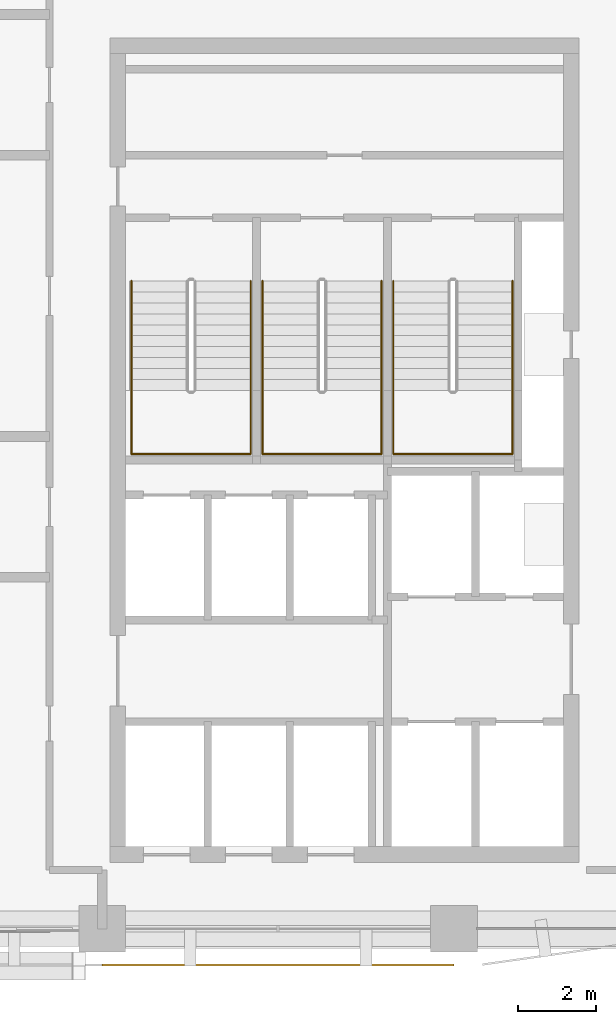
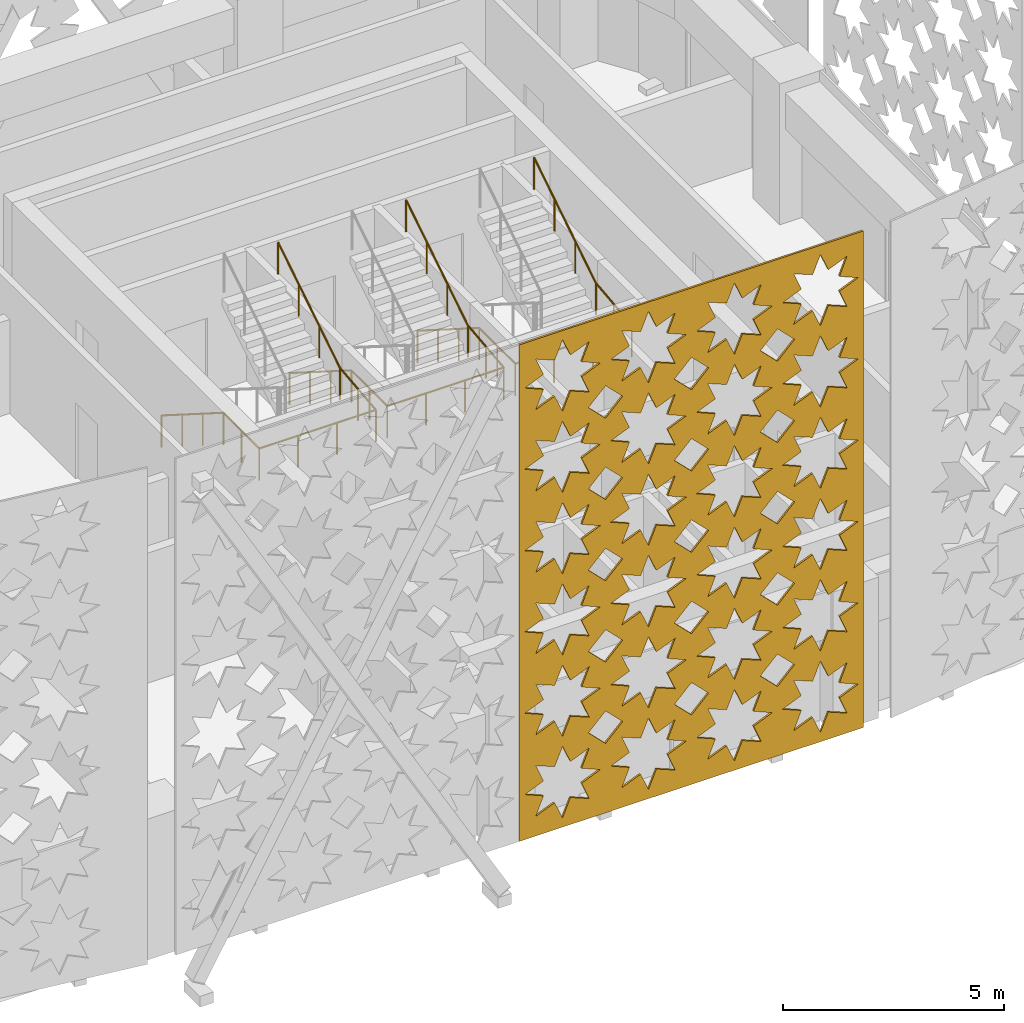
# One storey, part 12 of 17: 3 railings, 1 covering.
"""IFC4 building model written with IfcOpenShell, lengths in metres."""

from ifc_helpers import new_model, si_unit, direction, frame, origin, origin_2d, place, context, subcontext, project, spatial, polyline, circle, outline, extrude, material, layer, layer_set, type_object, element, save


model = new_model("IFC4")

# Units and contexts
model_context = context("Model", 3, precision=1e-05, world=origin(), true_north=direction((0.0, 1.0)))
body_context = subcontext(model_context, "Body", "Model", "MODEL_VIEW")
ifc_project = project(units=[si_unit("LENGTHUNIT", "METRE"), si_unit("AREAUNIT", "SQUARE_METRE"), si_unit("VOLUMEUNIT", "CUBIC_METRE"), si_unit("PLANEANGLEUNIT", "RADIAN"), si_unit("MASSUNIT", "GRAM", prefix="KILO")], contexts=[model_context])

# Site, building, storey
site_placement = place(None, origin())
site = spatial("IfcSite", under=ifc_project, at=site_placement, CompositionType="ELEMENT")
building_placement = place(site_placement, origin())
building = spatial("IfcBuilding", under=site, at=building_placement, Name="Tessera Arch", CompositionType="ELEMENT")
storey_placement = place(building_placement, frame((0.0, 0.0, 281.300048828125)))
storey = spatial("IfcBuildingStorey", under=building, at=storey_placement, Name="L68", CompositionType="ELEMENT", Elevation=281.300048828125)

# Covering
ifc_material_1 = material(Name="Anodised aluminium pale metal", Category="aluminium")
ifc_layer = layer(ifc_material_1, 0.050048828125)
ifc_layer_set = layer_set([ifc_layer], Name="Pierced screen panel straight bay")
covering_type = type_object("IfcCoveringType", Name="Pierced screen panel straight bay", PredefinedType="CLADDING", material=ifc_layer_set)
covering_placement = place(storey_placement, frame((36.0, 26.10009765625, 13.89990234375), z_axis=(0.0, 1.0, 0.0), x_axis=(1.0, 0.0, 0.0)))
element("IfcCovering", 1, at=covering_placement, inside=storey, type_object=covering_type, Name="SCREEN pierced panel S27.18/2 L68-L70", PredefinedType="CLADDING", context=body_context, shape_type="SweptSolid", body=[
    extrude(outline(polyline([(0.0, 0.0), (9.0, 0.0), (9.0, 13.739990234375), (0.0, 13.739990234375), (0.0, 0.0)]), holes=[polyline([(2.114990234375, 12.494873046875), (1.6240234375, 12.287841796875), (1.824951171875, 11.794921875), (1.33203125, 11.995849609375), (1.125, 11.5048828125), (0.91796875, 11.995849609375), (0.425048828125, 11.794921875), (0.6259765625, 12.287841796875), (0.135009765625, 12.494873046875), (0.6259765625, 12.701904296875), (0.425048828125, 13.195068359375), (0.91796875, 12.993896484375), (1.125, 13.48486328125), (1.33203125, 12.993896484375), (1.824951171875, 13.195068359375), (1.6240234375, 12.701904296875), (2.114990234375, 12.494873046875)]), polyline([(2.114990234375, 10.244873046875), (1.6240234375, 10.037841796875), (1.824951171875, 9.544921875), (1.33203125, 9.745849609375), (1.125, 9.2548828125), (0.91796875, 9.745849609375), (0.425048828125, 9.544921875), (0.6259765625, 10.037841796875), (0.135009765625, 10.244873046875), (0.6259765625, 10.451904296875), (0.425048828125, 10.945068359375), (0.91796875, 10.743896484375), (1.125, 11.23486328125), (1.33203125, 10.743896484375), (1.824951171875, 10.945068359375), (1.6240234375, 10.451904296875), (2.114990234375, 10.244873046875)]), polyline([(2.114990234375, 7.994873046875), (1.6240234375, 7.787841796875), (1.824951171875, 7.294921875), (1.33203125, 7.495849609375), (1.125, 7.0048828125), (0.91796875, 7.495849609375), (0.425048828125, 7.294921875), (0.6259765625, 7.787841796875), (0.135009765625, 7.994873046875), (0.6259765625, 8.201904296875), (0.425048828125, 8.695068359375), (0.91796875, 8.493896484375), (1.125, 8.98486328125), (1.33203125, 8.493896484375), (1.824951171875, 8.695068359375), (1.6240234375, 8.201904296875), (2.114990234375, 7.994873046875)]), polyline([(2.114990234375, 5.744873046875), (1.6240234375, 5.537841796875), (1.824951171875, 5.044921875), (1.33203125, 5.245849609375), (1.125, 4.7548828125), (0.91796875, 5.245849609375), (0.425048828125, 5.044921875), (0.6259765625, 5.537841796875), (0.135009765625, 5.744873046875), (0.6259765625, 5.951904296875), (0.425048828125, 6.445068359375), (0.91796875, 6.243896484375), (1.125, 6.73486328125), (1.33203125, 6.243896484375), (1.824951171875, 6.445068359375), (1.6240234375, 5.951904296875), (2.114990234375, 5.744873046875)]), polyline([(2.114990234375, 3.494873046875), (1.6240234375, 3.287841796875), (1.824951171875, 2.794921875), (1.33203125, 2.995849609375), (1.125, 2.5048828125), (0.91796875, 2.995849609375), (0.425048828125, 2.794921875), (0.6259765625, 3.287841796875), (0.135009765625, 3.494873046875), (0.6259765625, 3.701904296875), (0.425048828125, 4.195068359375), (0.91796875, 3.993896484375), (1.125, 4.48486328125), (1.33203125, 3.993896484375), (1.824951171875, 4.195068359375), (1.6240234375, 3.701904296875), (2.114990234375, 3.494873046875)]), polyline([(2.114990234375, 1.244873046875), (1.6240234375, 1.037841796875), (1.824951171875, 0.544921875), (1.33203125, 0.745849609375), (1.125, 0.2548828125), (0.91796875, 0.745849609375), (0.425048828125, 0.544921875), (0.6259765625, 1.037841796875), (0.135009765625, 1.244873046875), (0.6259765625, 1.451904296875), (0.425048828125, 1.945068359375), (0.91796875, 1.743896484375), (1.125, 2.23486328125), (1.33203125, 1.743896484375), (1.824951171875, 1.945068359375), (1.6240234375, 1.451904296875), (2.114990234375, 1.244873046875)]), polyline([(4.364990234375, 12.494873046875), (3.8740234375, 12.287841796875), (4.074951171875, 11.794921875), (3.58203125, 11.995849609375), (3.375, 11.5048828125), (3.16796875, 11.995849609375), (2.675048828125, 11.794921875), (2.8759765625, 12.287841796875), (2.385009765625, 12.494873046875), (2.8759765625, 12.701904296875), (2.675048828125, 13.195068359375), (3.16796875, 12.993896484375), (3.375, 13.48486328125), (3.58203125, 12.993896484375), (4.074951171875, 13.195068359375), (3.8740234375, 12.701904296875), (4.364990234375, 12.494873046875)]), polyline([(4.364990234375, 10.244873046875), (3.8740234375, 10.037841796875), (4.074951171875, 9.544921875), (3.58203125, 9.745849609375), (3.375, 9.2548828125), (3.16796875, 9.745849609375), (2.675048828125, 9.544921875), (2.8759765625, 10.037841796875), (2.385009765625, 10.244873046875), (2.8759765625, 10.451904296875), (2.675048828125, 10.945068359375), (3.16796875, 10.743896484375), (3.375, 11.23486328125), (3.58203125, 10.743896484375), (4.074951171875, 10.945068359375), (3.8740234375, 10.451904296875), (4.364990234375, 10.244873046875)]), polyline([(4.364990234375, 7.994873046875), (3.8740234375, 7.787841796875), (4.074951171875, 7.294921875), (3.58203125, 7.495849609375), (3.375, 7.0048828125), (3.16796875, 7.495849609375), (2.675048828125, 7.294921875), (2.8759765625, 7.787841796875), (2.385009765625, 7.994873046875), (2.8759765625, 8.201904296875), (2.675048828125, 8.695068359375), (3.16796875, 8.493896484375), (3.375, 8.98486328125), (3.58203125, 8.493896484375), (4.074951171875, 8.695068359375), (3.8740234375, 8.201904296875), (4.364990234375, 7.994873046875)]), polyline([(4.364990234375, 5.744873046875), (3.8740234375, 5.537841796875), (4.074951171875, 5.044921875), (3.58203125, 5.245849609375), (3.375, 4.7548828125), (3.16796875, 5.245849609375), (2.675048828125, 5.044921875), (2.8759765625, 5.537841796875), (2.385009765625, 5.744873046875), (2.8759765625, 5.951904296875), (2.675048828125, 6.445068359375), (3.16796875, 6.243896484375), (3.375, 6.73486328125), (3.58203125, 6.243896484375), (4.074951171875, 6.445068359375), (3.8740234375, 5.951904296875), (4.364990234375, 5.744873046875)]), polyline([(4.364990234375, 3.494873046875), (3.8740234375, 3.287841796875), (4.074951171875, 2.794921875), (3.58203125, 2.995849609375), (3.375, 2.5048828125), (3.16796875, 2.995849609375), (2.675048828125, 2.794921875), (2.8759765625, 3.287841796875), (2.385009765625, 3.494873046875), (2.8759765625, 3.701904296875), (2.675048828125, 4.195068359375), (3.16796875, 3.993896484375), (3.375, 4.48486328125), (3.58203125, 3.993896484375), (4.074951171875, 4.195068359375), (3.8740234375, 3.701904296875), (4.364990234375, 3.494873046875)]), polyline([(4.364990234375, 1.244873046875), (3.8740234375, 1.037841796875), (4.074951171875, 0.544921875), (3.58203125, 0.745849609375), (3.375, 0.2548828125), (3.16796875, 0.745849609375), (2.675048828125, 0.544921875), (2.8759765625, 1.037841796875), (2.385009765625, 1.244873046875), (2.8759765625, 1.451904296875), (2.675048828125, 1.945068359375), (3.16796875, 1.743896484375), (3.375, 2.23486328125), (3.58203125, 1.743896484375), (4.074951171875, 1.945068359375), (3.8740234375, 1.451904296875), (4.364990234375, 1.244873046875)]), polyline([(6.614990234375, 12.494873046875), (6.1240234375, 12.287841796875), (6.324951171875, 11.794921875), (5.83203125, 11.995849609375), (5.625, 11.5048828125), (5.41796875, 11.995849609375), (4.925048828125, 11.794921875), (5.1259765625, 12.287841796875), (4.635009765625, 12.494873046875), (5.1259765625, 12.701904296875), (4.925048828125, 13.195068359375), (5.41796875, 12.993896484375), (5.625, 13.48486328125), (5.83203125, 12.993896484375), (6.324951171875, 13.195068359375), (6.1240234375, 12.701904296875), (6.614990234375, 12.494873046875)]), polyline([(6.614990234375, 10.244873046875), (6.1240234375, 10.037841796875), (6.324951171875, 9.544921875), (5.83203125, 9.745849609375), (5.625, 9.2548828125), (5.41796875, 9.745849609375), (4.925048828125, 9.544921875), (5.1259765625, 10.037841796875), (4.635009765625, 10.244873046875), (5.1259765625, 10.451904296875), (4.925048828125, 10.945068359375), (5.41796875, 10.743896484375), (5.625, 11.23486328125), (5.83203125, 10.743896484375), (6.324951171875, 10.945068359375), (6.1240234375, 10.451904296875), (6.614990234375, 10.244873046875)]), polyline([(6.614990234375, 7.994873046875), (6.1240234375, 7.787841796875), (6.324951171875, 7.294921875), (5.83203125, 7.495849609375), (5.625, 7.0048828125), (5.41796875, 7.495849609375), (4.925048828125, 7.294921875), (5.1259765625, 7.787841796875), (4.635009765625, 7.994873046875), (5.1259765625, 8.201904296875), (4.925048828125, 8.695068359375), (5.41796875, 8.493896484375), (5.625, 8.98486328125), (5.83203125, 8.493896484375), (6.324951171875, 8.695068359375), (6.1240234375, 8.201904296875), (6.614990234375, 7.994873046875)]), polyline([(6.614990234375, 5.744873046875), (6.1240234375, 5.537841796875), (6.324951171875, 5.044921875), (5.83203125, 5.245849609375), (5.625, 4.7548828125), (5.41796875, 5.245849609375), (4.925048828125, 5.044921875), (5.1259765625, 5.537841796875), (4.635009765625, 5.744873046875), (5.1259765625, 5.951904296875), (4.925048828125, 6.445068359375), (5.41796875, 6.243896484375), (5.625, 6.73486328125), (5.83203125, 6.243896484375), (6.324951171875, 6.445068359375), (6.1240234375, 5.951904296875), (6.614990234375, 5.744873046875)]), polyline([(6.614990234375, 3.494873046875), (6.1240234375, 3.287841796875), (6.324951171875, 2.794921875), (5.83203125, 2.995849609375), (5.625, 2.5048828125), (5.41796875, 2.995849609375), (4.925048828125, 2.794921875), (5.1259765625, 3.287841796875), (4.635009765625, 3.494873046875), (5.1259765625, 3.701904296875), (4.925048828125, 4.195068359375), (5.41796875, 3.993896484375), (5.625, 4.48486328125), (5.83203125, 3.993896484375), (6.324951171875, 4.195068359375), (6.1240234375, 3.701904296875), (6.614990234375, 3.494873046875)]), polyline([(6.614990234375, 1.244873046875), (6.1240234375, 1.037841796875), (6.324951171875, 0.544921875), (5.83203125, 0.745849609375), (5.625, 0.2548828125), (5.41796875, 0.745849609375), (4.925048828125, 0.544921875), (5.1259765625, 1.037841796875), (4.635009765625, 1.244873046875), (5.1259765625, 1.451904296875), (4.925048828125, 1.945068359375), (5.41796875, 1.743896484375), (5.625, 2.23486328125), (5.83203125, 1.743896484375), (6.324951171875, 1.945068359375), (6.1240234375, 1.451904296875), (6.614990234375, 1.244873046875)]), polyline([(8.864990234375, 12.494873046875), (8.3740234375, 12.287841796875), (8.574951171875, 11.794921875), (8.08203125, 11.995849609375), (7.875, 11.5048828125), (7.66796875, 11.995849609375), (7.175048828125, 11.794921875), (7.3759765625, 12.287841796875), (6.885009765625, 12.494873046875), (7.3759765625, 12.701904296875), (7.175048828125, 13.195068359375), (7.66796875, 12.993896484375), (7.875, 13.48486328125), (8.08203125, 12.993896484375), (8.574951171875, 13.195068359375), (8.3740234375, 12.701904296875), (8.864990234375, 12.494873046875)]), polyline([(8.864990234375, 10.244873046875), (8.3740234375, 10.037841796875), (8.574951171875, 9.544921875), (8.08203125, 9.745849609375), (7.875, 9.2548828125), (7.66796875, 9.745849609375), (7.175048828125, 9.544921875), (7.3759765625, 10.037841796875), (6.885009765625, 10.244873046875), (7.3759765625, 10.451904296875), (7.175048828125, 10.945068359375), (7.66796875, 10.743896484375), (7.875, 11.23486328125), (8.08203125, 10.743896484375), (8.574951171875, 10.945068359375), (8.3740234375, 10.451904296875), (8.864990234375, 10.244873046875)]), polyline([(8.864990234375, 7.994873046875), (8.3740234375, 7.787841796875), (8.574951171875, 7.294921875), (8.08203125, 7.495849609375), (7.875, 7.0048828125), (7.66796875, 7.495849609375), (7.175048828125, 7.294921875), (7.3759765625, 7.787841796875), (6.885009765625, 7.994873046875), (7.3759765625, 8.201904296875), (7.175048828125, 8.695068359375), (7.66796875, 8.493896484375), (7.875, 8.98486328125), (8.08203125, 8.493896484375), (8.574951171875, 8.695068359375), (8.3740234375, 8.201904296875), (8.864990234375, 7.994873046875)]), polyline([(8.864990234375, 5.744873046875), (8.3740234375, 5.537841796875), (8.574951171875, 5.044921875), (8.08203125, 5.245849609375), (7.875, 4.7548828125), (7.66796875, 5.245849609375), (7.175048828125, 5.044921875), (7.3759765625, 5.537841796875), (6.885009765625, 5.744873046875), (7.3759765625, 5.951904296875), (7.175048828125, 6.445068359375), (7.66796875, 6.243896484375), (7.875, 6.73486328125), (8.08203125, 6.243896484375), (8.574951171875, 6.445068359375), (8.3740234375, 5.951904296875), (8.864990234375, 5.744873046875)]), polyline([(8.864990234375, 3.494873046875), (8.3740234375, 3.287841796875), (8.574951171875, 2.794921875), (8.08203125, 2.995849609375), (7.875, 2.5048828125), (7.66796875, 2.995849609375), (7.175048828125, 2.794921875), (7.3759765625, 3.287841796875), (6.885009765625, 3.494873046875), (7.3759765625, 3.701904296875), (7.175048828125, 4.195068359375), (7.66796875, 3.993896484375), (7.875, 4.48486328125), (8.08203125, 3.993896484375), (8.574951171875, 4.195068359375), (8.3740234375, 3.701904296875), (8.864990234375, 3.494873046875)]), polyline([(8.864990234375, 1.244873046875), (8.3740234375, 1.037841796875), (8.574951171875, 0.544921875), (8.08203125, 0.745849609375), (7.875, 0.2548828125), (7.66796875, 0.745849609375), (7.175048828125, 0.544921875), (7.3759765625, 1.037841796875), (6.885009765625, 1.244873046875), (7.3759765625, 1.451904296875), (7.175048828125, 1.945068359375), (7.66796875, 1.743896484375), (7.875, 2.23486328125), (8.08203125, 1.743896484375), (8.574951171875, 1.945068359375), (8.3740234375, 1.451904296875), (8.864990234375, 1.244873046875)]), polyline([(2.699951171875, 11.369873046875), (2.25, 10.919921875), (1.800048828125, 11.369873046875), (2.25, 11.820068359375), (2.699951171875, 11.369873046875)]), polyline([(2.699951171875, 9.119873046875), (2.25, 8.669921875), (1.800048828125, 9.119873046875), (2.25, 9.570068359375), (2.699951171875, 9.119873046875)]), polyline([(2.699951171875, 6.869873046875), (2.25, 6.419921875), (1.800048828125, 6.869873046875), (2.25, 7.320068359375), (2.699951171875, 6.869873046875)]), polyline([(2.699951171875, 4.619873046875), (2.25, 4.169921875), (1.800048828125, 4.619873046875), (2.25, 5.070068359375), (2.699951171875, 4.619873046875)]), polyline([(2.699951171875, 2.369873046875), (2.25, 1.919921875), (1.800048828125, 2.369873046875), (2.25, 2.820068359375), (2.699951171875, 2.369873046875)]), polyline([(4.949951171875, 11.369873046875), (4.5, 10.919921875), (4.050048828125, 11.369873046875), (4.5, 11.820068359375), (4.949951171875, 11.369873046875)]), polyline([(4.949951171875, 9.119873046875), (4.5, 8.669921875), (4.050048828125, 9.119873046875), (4.5, 9.570068359375), (4.949951171875, 9.119873046875)]), polyline([(4.949951171875, 6.869873046875), (4.5, 6.419921875), (4.050048828125, 6.869873046875), (4.5, 7.320068359375), (4.949951171875, 6.869873046875)]), polyline([(4.949951171875, 4.619873046875), (4.5, 4.169921875), (4.050048828125, 4.619873046875), (4.5, 5.070068359375), (4.949951171875, 4.619873046875)]), polyline([(4.949951171875, 2.369873046875), (4.5, 1.919921875), (4.050048828125, 2.369873046875), (4.5, 2.820068359375), (4.949951171875, 2.369873046875)]), polyline([(7.199951171875, 11.369873046875), (6.75, 10.919921875), (6.300048828125, 11.369873046875), (6.75, 11.820068359375), (7.199951171875, 11.369873046875)]), polyline([(7.199951171875, 9.119873046875), (6.75, 8.669921875), (6.300048828125, 9.119873046875), (6.75, 9.570068359375), (7.199951171875, 9.119873046875)]), polyline([(7.199951171875, 6.869873046875), (6.75, 6.419921875), (6.300048828125, 6.869873046875), (6.75, 7.320068359375), (7.199951171875, 6.869873046875)]), polyline([(7.199951171875, 4.619873046875), (6.75, 4.169921875), (6.300048828125, 4.619873046875), (6.75, 5.070068359375), (7.199951171875, 4.619873046875)]), polyline([(7.199951171875, 2.369873046875), (6.75, 1.919921875), (6.300048828125, 2.369873046875), (6.75, 2.820068359375), (7.199951171875, 2.369873046875)])]), origin(), (0.0, 0.0, -1.0), 0.050048828125),
])

# Railings
ifc_material_2 = material(Name="Painted steel handrail", Category="steel")
railing_type = type_object("IfcRailingType", Name="Stair handrail 900", PredefinedType="HANDRAIL", material=ifc_material_2)
railing_1_placement = place(storey_placement, frame((36.75, 43.580078125, 0.17724609375)))
element("IfcRailing", 2, at=railing_1_placement, inside=storey, type_object=railing_type, Name="L68 S1a stair handrail", PredefinedType="HANDRAIL", context=body_context, shape_type="SweptSolid", body=[
    extrude(circle(Radius=0.02392578125, at=origin_2d()), frame((0.0, 0.00341796875, 0.873779296875), z_axis=(0.0, -0.844908973607, 0.534910110503), x_axis=(1.0, 0.0, 0.0)), (0.0, 0.0, 1.0), 3.322021484375),
    extrude(circle(Radius=0.02392578125, at=origin_2d()), frame((0.0, -2.796142578125, 2.6484375), z_axis=(0.0, -1.0, 0.0), x_axis=(1.0, 0.0, 0.0)), (0.0, 0.0, 1.0), 1.63818359375),
    extrude(circle(Radius=0.02392578125, at=origin_2d()), frame((-0.00390625, -4.43017578125, 2.6484375), z_axis=(1.0, 0.0, 0.0), x_axis=(0.0, 1.0, 0.0)), (0.0, 0.0, 1.0), 3.05810546875),
    extrude(circle(Radius=0.02392578125, at=origin_2d()), frame((3.050048828125, -4.43408203125, 2.648193359375), z_axis=(0.0, 0.994140637614, 0.108094369164), x_axis=(-1.0, 0.0, 0.0)), (0.0, 0.0, 1.0), 1.647705078125),
    extrude(circle(Radius=0.02392578125, at=origin_2d()), frame((3.050048828125, -2.803466796875, 2.82373046875), z_axis=(0.0, 0.844908973607, 0.534910110503), x_axis=(-1.0, 0.0, 0.0)), (0.0, 0.0, 1.0), 3.322021484375),
    extrude(circle(Radius=0.02099609375, at=origin_2d()), origin(), (0.0, 0.0, 1.0), 0.86376953125),
    extrude(circle(Radius=0.02099609375, at=origin_2d()), frame((0.0, -0.933349609375, 0.5908203125)), (0.0, 0.0, 1.0), 0.86376953125),
    extrude(circle(Radius=0.02099609375, at=origin_2d()), frame((0.0, -1.86669921875, 1.181884765625)), (0.0, 0.0, 1.0), 0.86376953125),
    extrude(circle(Radius=0.02099609375, at=origin_2d()), frame((0.0, -2.800048828125, 1.772705078125)), (0.0, 0.0, 1.0), 0.86376953125),
    extrude(circle(Radius=0.02099609375, at=origin_2d()), frame((0.0, -3.615234375, 1.772705078125)), (0.0, 0.0, 1.0), 0.86376953125),
    extrude(circle(Radius=0.02099609375, at=origin_2d()), frame((0.0, -4.43017578125, 1.772705078125)), (0.0, 0.0, 1.0), 0.86376953125),
    extrude(circle(Radius=0.02099609375, at=origin_2d()), frame((1.0166015625, -4.43017578125, 1.772705078125)), (0.0, 0.0, 1.0), 0.86376953125),
    extrude(circle(Radius=0.02099609375, at=origin_2d()), frame((2.033447265625, -4.43017578125, 1.772705078125)), (0.0, 0.0, 1.0), 0.86376953125),
    extrude(circle(Radius=0.02099609375, at=origin_2d()), frame((3.050048828125, -4.43017578125, 1.772705078125)), (0.0, 0.0, 1.0), 0.86376953125),
    extrude(circle(Radius=0.02099609375, at=origin_2d()), frame((3.050048828125, -3.615234375, 1.861328125)), (0.0, 0.0, 1.0), 0.86376953125),
    extrude(circle(Radius=0.02099609375, at=origin_2d()), frame((3.050048828125, -2.800048828125, 1.949951171875)), (0.0, 0.0, 1.0), 0.86376953125),
    extrude(circle(Radius=0.02099609375, at=origin_2d()), frame((3.050048828125, -1.86669921875, 2.540771484375)), (0.0, 0.0, 1.0), 0.86376953125),
    extrude(circle(Radius=0.02099609375, at=origin_2d()), frame((3.050048828125, -0.933349609375, 3.1318359375)), (0.0, 0.0, 1.0), 0.86376953125),
    extrude(circle(Radius=0.02099609375, at=origin_2d()), frame((3.050048828125, 0.0, 3.72265625)), (0.0, 0.0, 1.0), 0.86376953125),
])
railing_2_placement = place(storey_placement, frame((40.10009765625, 43.580078125, 0.17724609375)))
element("IfcRailing", 3, at=railing_2_placement, inside=storey, type_object=railing_type, Name="L68 S1b stair handrail", PredefinedType="HANDRAIL", context=body_context, shape_type="SweptSolid", body=[
    extrude(circle(Radius=0.02392578125, at=origin_2d()), frame((0.0, 0.00341796875, 0.873779296875), z_axis=(0.0, -0.844908973607, 0.534910110503), x_axis=(1.0, 0.0, 0.0)), (0.0, 0.0, 1.0), 3.322021484375),
    extrude(circle(Radius=0.02392578125, at=origin_2d()), frame((0.0, -2.796142578125, 2.6484375), z_axis=(0.0, -1.0, 0.0), x_axis=(1.0, 0.0, 0.0)), (0.0, 0.0, 1.0), 1.63818359375),
    extrude(circle(Radius=0.02392578125, at=origin_2d()), frame((-0.00390625, -4.43017578125, 2.6484375), z_axis=(1.0, 0.0, 0.0), x_axis=(0.0, 1.0, 0.0)), (0.0, 0.0, 1.0), 3.057861328125),
    extrude(circle(Radius=0.02392578125, at=origin_2d()), frame((3.0498046875, -4.43408203125, 2.648193359375), z_axis=(0.0, 0.994140637614, 0.108094369164), x_axis=(-1.0, 0.0, 0.0)), (0.0, 0.0, 1.0), 1.647705078125),
    extrude(circle(Radius=0.02392578125, at=origin_2d()), frame((3.0498046875, -2.803466796875, 2.82373046875), z_axis=(0.0, 0.844908973607, 0.534910110503), x_axis=(-1.0, 0.0, 0.0)), (0.0, 0.0, 1.0), 3.322021484375),
    extrude(circle(Radius=0.02099609375, at=origin_2d()), origin(), (0.0, 0.0, 1.0), 0.86376953125),
    extrude(circle(Radius=0.02099609375, at=origin_2d()), frame((0.0, -0.933349609375, 0.5908203125)), (0.0, 0.0, 1.0), 0.86376953125),
    extrude(circle(Radius=0.02099609375, at=origin_2d()), frame((0.0, -1.86669921875, 1.181884765625)), (0.0, 0.0, 1.0), 0.86376953125),
    extrude(circle(Radius=0.02099609375, at=origin_2d()), frame((0.0, -2.800048828125, 1.772705078125)), (0.0, 0.0, 1.0), 0.86376953125),
    extrude(circle(Radius=0.02099609375, at=origin_2d()), frame((0.0, -3.615234375, 1.772705078125)), (0.0, 0.0, 1.0), 0.86376953125),
    extrude(circle(Radius=0.02099609375, at=origin_2d()), frame((0.0, -4.43017578125, 1.772705078125)), (0.0, 0.0, 1.0), 0.86376953125),
    extrude(circle(Radius=0.02099609375, at=origin_2d()), frame((1.0166015625, -4.43017578125, 1.772705078125)), (0.0, 0.0, 1.0), 0.86376953125),
    extrude(circle(Radius=0.02099609375, at=origin_2d()), frame((2.033203125, -4.43017578125, 1.772705078125)), (0.0, 0.0, 1.0), 0.86376953125),
    extrude(circle(Radius=0.02099609375, at=origin_2d()), frame((3.0498046875, -4.43017578125, 1.772705078125)), (0.0, 0.0, 1.0), 0.86376953125),
    extrude(circle(Radius=0.02099609375, at=origin_2d()), frame((3.0498046875, -3.615234375, 1.861328125)), (0.0, 0.0, 1.0), 0.86376953125),
    extrude(circle(Radius=0.02099609375, at=origin_2d()), frame((3.0498046875, -2.800048828125, 1.949951171875)), (0.0, 0.0, 1.0), 0.86376953125),
    extrude(circle(Radius=0.02099609375, at=origin_2d()), frame((3.0498046875, -1.86669921875, 2.540771484375)), (0.0, 0.0, 1.0), 0.86376953125),
    extrude(circle(Radius=0.02099609375, at=origin_2d()), frame((3.0498046875, -0.933349609375, 3.1318359375)), (0.0, 0.0, 1.0), 0.86376953125),
    extrude(circle(Radius=0.02099609375, at=origin_2d()), frame((3.0498046875, 0.0, 3.72265625)), (0.0, 0.0, 1.0), 0.86376953125),
])
railing_3_placement = place(storey_placement, frame((43.449951171875, 43.580078125, 0.17724609375)))
element("IfcRailing", 4, at=railing_3_placement, inside=storey, type_object=railing_type, Name="L68 S1c stair handrail", PredefinedType="HANDRAIL", context=body_context, shape_type="SweptSolid", body=[
    extrude(circle(Radius=0.02392578125, at=origin_2d()), frame((0.0, 0.00341796875, 0.873779296875), z_axis=(0.0, -0.844908973607, 0.534910110503), x_axis=(1.0, 0.0, 0.0)), (0.0, 0.0, 1.0), 3.322021484375),
    extrude(circle(Radius=0.02392578125, at=origin_2d()), frame((0.0, -2.796142578125, 2.6484375), z_axis=(0.0, -1.0, 0.0), x_axis=(1.0, 0.0, 0.0)), (0.0, 0.0, 1.0), 1.63818359375),
    extrude(circle(Radius=0.02392578125, at=origin_2d()), frame((-0.00390625, -4.43017578125, 2.6484375), z_axis=(1.0, 0.0, 0.0), x_axis=(0.0, 1.0, 0.0)), (0.0, 0.0, 1.0), 3.05810546875),
    extrude(circle(Radius=0.02392578125, at=origin_2d()), frame((3.050048828125, -4.43408203125, 2.648193359375), z_axis=(0.0, 0.994140637614, 0.108094369164), x_axis=(-1.0, 0.0, 0.0)), (0.0, 0.0, 1.0), 1.647705078125),
    extrude(circle(Radius=0.02392578125, at=origin_2d()), frame((3.050048828125, -2.803466796875, 2.82373046875), z_axis=(0.0, 0.844908973607, 0.534910110503), x_axis=(-1.0, 0.0, 0.0)), (0.0, 0.0, 1.0), 3.322021484375),
    extrude(circle(Radius=0.02099609375, at=origin_2d()), origin(), (0.0, 0.0, 1.0), 0.86376953125),
    extrude(circle(Radius=0.02099609375, at=origin_2d()), frame((0.0, -0.933349609375, 0.5908203125)), (0.0, 0.0, 1.0), 0.86376953125),
    extrude(circle(Radius=0.02099609375, at=origin_2d()), frame((0.0, -1.86669921875, 1.181884765625)), (0.0, 0.0, 1.0), 0.86376953125),
    extrude(circle(Radius=0.02099609375, at=origin_2d()), frame((0.0, -2.800048828125, 1.772705078125)), (0.0, 0.0, 1.0), 0.86376953125),
    extrude(circle(Radius=0.02099609375, at=origin_2d()), frame((0.0, -3.615234375, 1.772705078125)), (0.0, 0.0, 1.0), 0.86376953125),
    extrude(circle(Radius=0.02099609375, at=origin_2d()), frame((0.0, -4.43017578125, 1.772705078125)), (0.0, 0.0, 1.0), 0.86376953125),
    extrude(circle(Radius=0.02099609375, at=origin_2d()), frame((1.0166015625, -4.43017578125, 1.772705078125)), (0.0, 0.0, 1.0), 0.86376953125),
    extrude(circle(Radius=0.02099609375, at=origin_2d()), frame((2.033447265625, -4.43017578125, 1.772705078125)), (0.0, 0.0, 1.0), 0.86376953125),
    extrude(circle(Radius=0.02099609375, at=origin_2d()), frame((3.050048828125, -4.43017578125, 1.772705078125)), (0.0, 0.0, 1.0), 0.86376953125),
    extrude(circle(Radius=0.02099609375, at=origin_2d()), frame((3.050048828125, -3.615234375, 1.861328125)), (0.0, 0.0, 1.0), 0.86376953125),
    extrude(circle(Radius=0.02099609375, at=origin_2d()), frame((3.050048828125, -2.800048828125, 1.949951171875)), (0.0, 0.0, 1.0), 0.86376953125),
    extrude(circle(Radius=0.02099609375, at=origin_2d()), frame((3.050048828125, -1.86669921875, 2.540771484375)), (0.0, 0.0, 1.0), 0.86376953125),
    extrude(circle(Radius=0.02099609375, at=origin_2d()), frame((3.050048828125, -0.933349609375, 3.1318359375)), (0.0, 0.0, 1.0), 0.86376953125),
    extrude(circle(Radius=0.02099609375, at=origin_2d()), frame((3.050048828125, 0.0, 3.72265625)), (0.0, 0.0, 1.0), 0.86376953125),
])

save(model, "model.ifc")
